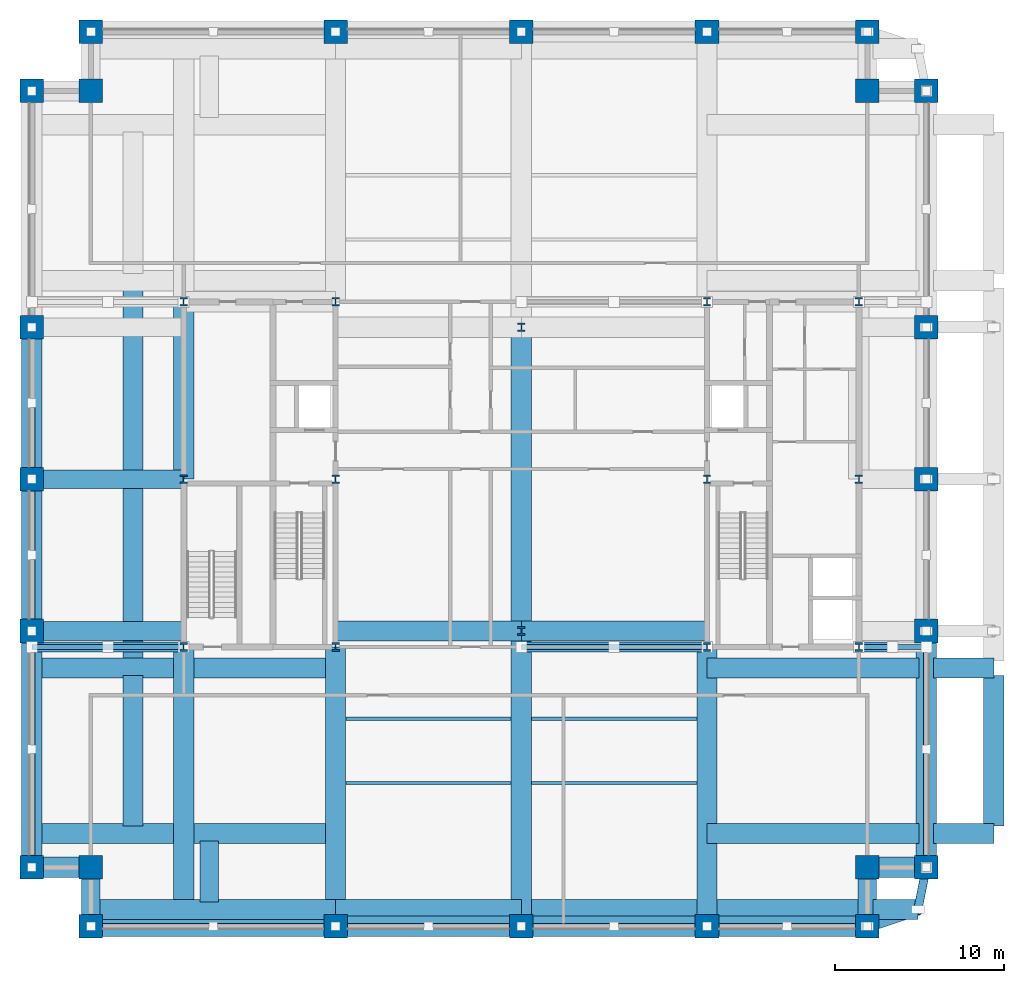
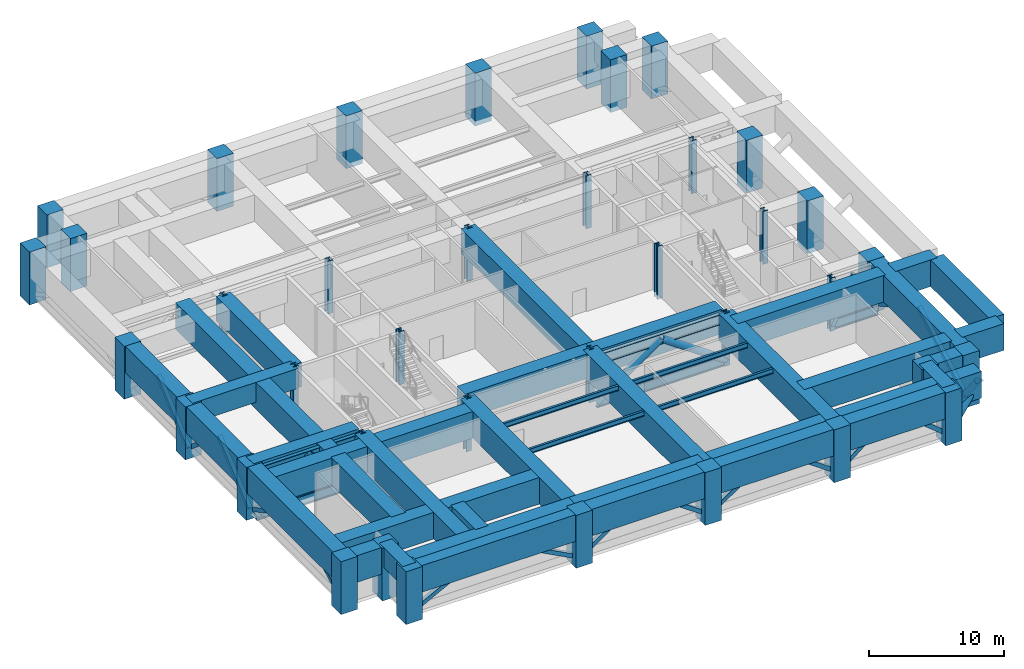
# One storey, part 1 of 10: 40 beams, 38 columns, 27 members.
"""IFC4 building model written with IfcOpenShell, lengths in metres."""

from ifc_helpers import new_model, si_unit, direction, frame, origin, origin_2d, place, context, subcontext, project, spatial, rectangle, hollow_rectangle, hollow_circle, i_section, extrude, material, material_profile, profile_set, type_object, element, save


model = new_model("IFC4")

# Units and contexts
model_context = context("Model", 3, precision=1e-05, world=origin(), true_north=direction((0.0, 1.0)))
body_context = subcontext(model_context, "Body", "Model", "MODEL_VIEW")
ifc_project = project(units=[si_unit("LENGTHUNIT", "METRE"), si_unit("AREAUNIT", "SQUARE_METRE"), si_unit("VOLUMEUNIT", "CUBIC_METRE"), si_unit("PLANEANGLEUNIT", "RADIAN"), si_unit("MASSUNIT", "GRAM", prefix="KILO")], contexts=[model_context])

# Site, building, storey
site_placement = place(None, origin())
site = spatial("IfcSite", under=ifc_project, at=site_placement, CompositionType="ELEMENT")
building_placement = place(site_placement, origin())
building = spatial("IfcBuilding", under=site, at=building_placement, Name="Zulmaris Gate Convention Tower", CompositionType="ELEMENT")
storey_placement = place(building_placement, frame((0.0, 0.0, 82.179931640625)))
storey = spatial("IfcBuildingStorey", under=building, at=storey_placement, Name="L20", CompositionType="ELEMENT", Elevation=82.179931640625)

# Columns
ifc_material_1 = material(Name="Steel S460", Category="steel")
ifc_material_profile_1 = material_profile(ifc_material_1, i_section(OverallWidth=0.43701171875, OverallDepth=0.513916015625, WebThickness=0.060546875, FlangeThickness=0.096923828125, FilletRadius=0.014892578125, at=origin_2d()), Name="HD 400x818")
ifc_profile_set_1 = profile_set([ifc_material_profile_1], Name="Steel S460")
column_type_1 = type_object("IfcColumnType", Name="COL-HD818", PredefinedType="COLUMN", material=ifc_profile_set_1)
for number, where, z_axis, x_axis, name in (
    (1, (-20.0, -9.949951171875, -0.425048828125), (0.0, 0.0, 1.0), (1.0, 0.0, 0.0), "L20 Column IN--20.00_-9.95"),
    (2, (-20.0, 10.5, -0.425048828125), (0.0, 0.0, 1.0), (1.0, 0.0, 0.0), "L20 Column IN--20.00_+10.50"),
    (3, (-11.0, -9.949951171875, -0.425048828125), (0.0, 0.0, 1.0), (1.0, 0.0, 0.0), "L20 Column IN--11.00_-9.95"),
    (4, (-11.0, 0.0, -0.425048828125), (0.0, 0.0, 1.0), (1.0, 0.0, 0.0), "L20 Column IN--11.00_+0.00"),
    (5, (-11.0, 10.5, -0.425048828125), (0.0, 0.0, 1.0), (1.0, 0.0, 0.0), "L20 Column IN--11.00_+10.50"),
    (6, (11.0, -9.949951171875, -0.425048828125), (0.0, 0.0, 1.0), (1.0, 0.0, 0.0), "L20 Column IN-+11.00_-9.95"),
    (7, (11.0, 0.0, -0.425048828125), (0.0, 0.0, 1.0), (1.0, 0.0, 0.0), "L20 Column IN-+11.00_+0.00"),
    (8, (11.0, 10.5, -0.425048828125), (0.0, 0.0, 1.0), (1.0, 0.0, 0.0), "L20 Column IN-+11.00_+10.50"),
    (9, (20.0, -9.949951171875, -0.425048828125), (0.0, 0.0, 1.0), (1.0, 0.0, 0.0), "L20 Column IN-+20.00_-9.95"),
    (10, (20.0, 10.5, -0.425048828125), (0.0, 0.0, 1.0), (1.0, 0.0, 0.0), "L20 Column IN-+20.00_+10.50"),
    (11, (0.0, -9.0, -0.425048828125), (0.0, 0.0, 1.0), (1.0, 0.0, 0.0), "L20 Column IN-+0.00_-9.00"),
    (12, (0.0, 9.0, -0.425048828125), (0.0, 0.0, 1.0), (1.0, 0.0, 0.0), "L20 Column IN-+0.00_+9.00"),
    (13, (-20.0, 0.0, -0.425048828125), (0.0, 0.0, 1.0), (1.0, 0.0, 0.0), "L20 Column IN--20.00_+0.00"),
    (14, (20.0, 0.0, -0.425048828125), (0.0, 0.0, 1.0), (1.0, 0.0, 0.0), "L20 Column IN-+20.00_+0.00"),
):
    element("IfcColumn", number, at=place(storey_placement, frame(where, z_axis=z_axis, x_axis=x_axis)), inside=storey, type_object=column_type_1, Name=name, PredefinedType="COLUMN", context=body_context, shape_type="SweptSolid", body=[
        extrude(i_section(OverallWidth=0.43701171875, OverallDepth=0.513916015625, WebThickness=0.060546875, FlangeThickness=0.096923828125, FilletRadius=0.014892578125, at=origin_2d()), origin(), (0.0, 0.0, 1.0), 4.760009765625),
    ])
ifc_material_2 = material(Name="Concrete C80/95", Category="concrete")
ifc_material_profile_2 = material_profile(ifc_material_2, rectangle(XDim=1.39990234375, YDim=1.39990234375, at=origin_2d()), Name="RC COL 1400x1400")
ifc_profile_set_2 = profile_set([ifc_material_profile_2], Name="Concrete C80/95")
column_type_2 = type_object("IfcColumnType", Name="COL-RC1400", PredefinedType="COLUMN", material=ifc_profile_set_2)
for number, where, z_axis, x_axis, name in (
    (15, (-25.5, -26.5, -0.425048828125), (0.0, 0.0, 1.0), (1.0, 0.0, 0.0), "L20 Column PT--25.50_-26.50"),
    (16, (-11.0, -26.5, -0.425048828125), (0.0, 0.0, 1.0), (1.0, 0.0, 0.0), "L20 Column PT--11.00_-26.50"),
    (17, (0.0, -26.5, -0.425048828125), (0.0, 0.0, 1.0), (1.0, 0.0, 0.0), "L20 Column PT-+0.00_-26.50"),
    (18, (11.0, -26.5, -0.425048828125), (0.0, 0.0, 1.0), (1.0, 0.0, 0.0), "L20 Column PT-+11.00_-26.50"),
    (19, (20.5, -26.5, -0.425048828125), (0.0, 0.0, 1.0), (1.0, 0.0, 0.0), "L20 Column PT-+20.50_-26.50"),
    (20, (-25.5, 26.5, -0.425048828125), (0.0, 0.0, 1.0), (1.0, 0.0, 0.0), "L20 Column PT--25.50_+26.50"),
    (21, (-11.0, 26.5, -0.425048828125), (0.0, 0.0, 1.0), (1.0, 0.0, 0.0), "L20 Column PT--11.00_+26.50"),
    (22, (0.0, 26.5, -0.425048828125), (0.0, 0.0, 1.0), (1.0, 0.0, 0.0), "L20 Column PT-+0.00_+26.50"),
    (23, (11.0, 26.5, -0.425048828125), (0.0, 0.0, 1.0), (1.0, 0.0, 0.0), "L20 Column PT-+11.00_+26.50"),
    (24, (20.5, 26.5, -0.425048828125), (0.0, 0.0, 1.0), (1.0, 0.0, 0.0), "L20 Column PT-+20.50_+26.50"),
    (25, (-29.0, -23.0, -0.425048828125), (0.0, 0.0, 1.0), (1.0, 0.0, 0.0), "L20 Column PT--29.00_-23.00"),
    (26, (-29.0, -9.0, -0.425048828125), (0.0, 0.0, 1.0), (1.0, 0.0, 0.0), "L20 Column PT--29.00_-9.00"),
    (27, (-29.0, 0.0, -0.425048828125), (0.0, 0.0, 1.0), (1.0, 0.0, 0.0), "L20 Column PT--29.00_+0.00"),
    (28, (-29.0, 9.0, -0.425048828125), (0.0, 0.0, 1.0), (1.0, 0.0, 0.0), "L20 Column PT--29.00_+9.00"),
    (29, (-29.0, 23.0, -0.425048828125), (0.0, 0.0, 1.0), (1.0, 0.0, 0.0), "L20 Column PT--29.00_+23.00"),
    (30, (24.0, -23.0, -0.425048828125), (0.0, 0.0, 1.0), (1.0, 0.0, 0.0), "L20 Column PT-+24.00_-23.00"),
    (31, (24.0, -9.0, -0.425048828125), (0.0, 0.0, 1.0), (1.0, 0.0, 0.0), "L20 Column PT-+24.00_-9.00"),
    (32, (24.0, 0.0, -0.425048828125), (0.0, 0.0, 1.0), (1.0, 0.0, 0.0), "L20 Column PT-+24.00_+0.00"),
    (33, (24.0, 9.0, -0.425048828125), (0.0, 0.0, 1.0), (1.0, 0.0, 0.0), "L20 Column PT-+24.00_+9.00"),
    (34, (24.0, 23.0, -0.425048828125), (0.0, 0.0, 1.0), (1.0, 0.0, 0.0), "L20 Column PT-+24.00_+23.00"),
    (35, (-25.5, -23.0, -0.425048828125), (0.0, 0.0, 1.0), (1.0, 0.0, 0.0), "L20 Column PT--25.50_-23.00"),
    (36, (20.5, -23.0, -0.425048828125), (0.0, 0.0, 1.0), (1.0, 0.0, 0.0), "L20 Column PT-+20.50_-23.00"),
    (37, (20.5, 23.0, -0.425048828125), (0.0, 0.0, 1.0), (1.0, 0.0, 0.0), "L20 Column PT-+20.50_+23.00"),
    (38, (-25.5, 23.0, -0.425048828125), (0.0, 0.0, 1.0), (1.0, 0.0, 0.0), "L20 Column PT--25.50_+23.00"),
):
    element("IfcColumn", number, at=place(storey_placement, frame(where, z_axis=z_axis, x_axis=x_axis)), inside=storey, type_object=column_type_2, Name=name, PredefinedType="COLUMN", context=body_context, shape_type="SweptSolid", body=[
        extrude(rectangle(XDim=1.39990234375, YDim=1.39990234375, at=origin_2d()), origin(), (0.0, 0.0, 1.0), 4.760009765625),
    ])

# Beams
ifc_material_profile_3 = material_profile(ifc_material_2, rectangle(XDim=1.10009765625, YDim=1.800048828125, at=origin_2d()), Name="RC TRANSFER 1100x1800")
ifc_profile_set_3 = profile_set([ifc_material_profile_3], Name="Concrete C80/95")
beam_type_1 = type_object("IfcBeamType", Name="BM-XFER1800", PredefinedType="BEAM", material=ifc_profile_set_3)
for number, where, z_axis, x_axis, name in (
    (39, (-25.5, -26.5, 3.43505859375), (0.0, 1.0, 0.0), (-1.0, 0.0, 0.0), "L20 Beam XFCOLV-L20-CXWS"),
    (40, (20.5, -26.5, 3.43505859375), (0.0, 1.0, 0.0), (-1.0, 0.0, 0.0), "L20 Beam XFCOLV-L20-CXES"),
):
    element("IfcBeam", number, at=place(storey_placement, frame(where, z_axis=z_axis, x_axis=x_axis)), inside=storey, type_object=beam_type_1, Name=name, PredefinedType="BEAM", context=body_context, shape_type="SweptSolid", body=[
        extrude(rectangle(XDim=1.10009765625, YDim=1.800048828125, at=origin_2d()), origin(), (0.0, 0.0, 1.0), 3.5),
    ])
beam_1_placement = place(storey_placement, frame((-18.5, -25.06494140625, 3.43505859375), z_axis=(0.0, 1.0, 0.0), x_axis=(-1.0, 0.0, 0.0)))
element("IfcBeam", 41, at=beam_1_placement, inside=storey, type_object=beam_type_1, Name="L20 Beam XFNCH-L20-WC--21.0", PredefinedType="BEAM", context=body_context, shape_type="SweptSolid", body=[
    extrude(rectangle(XDim=1.10009765625, YDim=1.800048828125, at=origin_2d()), origin(), (0.0, 0.0, 1.0), 3.6298828125),
])
for number, where, z_axis, x_axis, name in (
    (42, (-29.0, -9.0, 3.43505859375), (1.0, 0.0, 0.0), (0.0, 1.0, 0.0), "L20 Beam BM-L20-G16"),
    (43, (-29.0, 0.0, 3.43505859375), (1.0, 0.0, 0.0), (0.0, 1.0, 0.0), "L20 Beam BM-L20-G17"),
):
    element("IfcBeam", number, at=place(storey_placement, frame(where, z_axis=z_axis, x_axis=x_axis)), inside=storey, type_object=beam_type_1, Name=name, PredefinedType="BEAM", context=body_context, shape_type="SweptSolid", body=[
        extrude(rectangle(XDim=1.10009765625, YDim=1.800048828125, at=origin_2d()), origin(), (0.0, 0.0, 1.0), 9.0),
    ])
ifc_material_profile_4 = material_profile(ifc_material_2, rectangle(XDim=1.199951171875, YDim=2.199951171875, at=origin_2d()), Name="RC TRANSFER 1200x2200")
ifc_profile_set_4 = profile_set([ifc_material_profile_4], Name="Concrete C80/95")
beam_type_2 = type_object("IfcBeamType", Name="BM-XFER2200", PredefinedType="BEAM", material=ifc_profile_set_4)
for number, where, z_axis, x_axis, name in (
    (44, (-11.0, -9.0, 3.23486328125), (1.0, 0.0, 0.0), (0.0, 1.0, 0.0), "L20 Beam BM-L20-G01"),
    (45, (0.0, -9.0, 3.23486328125), (1.0, 0.0, 0.0), (0.0, 1.0, 0.0), "L20 Beam BM-L20-G02"),
):
    element("IfcBeam", number, at=place(storey_placement, frame(where, z_axis=z_axis, x_axis=x_axis)), inside=storey, type_object=beam_type_2, Name=name, PredefinedType="BEAM", context=body_context, shape_type="SweptSolid", body=[
        extrude(rectangle(XDim=1.199951171875, YDim=2.199951171875, at=origin_2d()), origin(), (0.0, 0.0, 1.0), 11.0),
    ])
beam_2_placement = place(storey_placement, frame((0.0, -9.0, 3.23486328125), z_axis=(0.0, 1.0, 0.0), x_axis=(-1.0, 0.0, 0.0)))
element("IfcBeam", 46, at=beam_2_placement, inside=storey, type_object=beam_type_2, Name="L20 Beam BM-L20-G06", PredefinedType="BEAM", context=body_context, shape_type="SweptSolid", body=[
    extrude(rectangle(XDim=1.199951171875, YDim=2.199951171875, at=origin_2d()), origin(), (0.0, 0.0, 1.0), 18.0),
])
beam_3_placement = place(storey_placement, frame((-20.0, 0.0, 3.23486328125), z_axis=(0.0, 1.0, 0.0), x_axis=(-1.0, 0.0, 0.0)))
element("IfcBeam", 47, at=beam_3_placement, inside=storey, type_object=beam_type_2, Name="L20 Beam BM-L20-G27", PredefinedType="BEAM", context=body_context, shape_type="SweptSolid", body=[
    extrude(rectangle(XDim=1.199951171875, YDim=2.199951171875, at=origin_2d()), origin(), (0.0, 0.0, 1.0), 10.5),
])
ifc_material_profile_5 = material_profile(ifc_material_2, rectangle(XDim=1.199951171875, YDim=2.39990234375, at=origin_2d()), Name="RC TRANSFER 1200x2400")
ifc_profile_set_5 = profile_set([ifc_material_profile_5], Name="Concrete C80/95")
beam_type_3 = type_object("IfcBeamType", Name="BM-XFER2400", PredefinedType="BEAM", material=ifc_profile_set_5)
beam_4_placement = place(storey_placement, frame((-29.0, -23.0, 3.135009765625), z_axis=(0.0, 1.0, 0.0), x_axis=(-1.0, 0.0, 0.0)))
element("IfcBeam", 48, at=beam_4_placement, inside=storey, type_object=beam_type_3, Name="L20 Beam XFCOLV-L20-XWS", PredefinedType="BEAM", context=body_context, shape_type="SweptSolid", body=[
    extrude(rectangle(XDim=1.199951171875, YDim=2.39990234375, at=origin_2d()), origin(), (0.0, 0.0, 1.0), 14.0),
])
for number, where, z_axis, x_axis, name in (
    (49, (-29.0, -9.0, 3.135009765625), (0.0, 1.0, 0.0), (-1.0, 0.0, 0.0), "L20 Beam XFCOLV-L20-XWM1"),
    (50, (-29.0, 0.0, 3.135009765625), (0.0, 1.0, 0.0), (-1.0, 0.0, 0.0), "L20 Beam XFCOLV-L20-XWM2"),
):
    element("IfcBeam", number, at=place(storey_placement, frame(where, z_axis=z_axis, x_axis=x_axis)), inside=storey, type_object=beam_type_3, Name=name, PredefinedType="BEAM", context=body_context, shape_type="SweptSolid", body=[
        extrude(rectangle(XDim=1.199951171875, YDim=2.39990234375, at=origin_2d()), origin(), (0.0, 0.0, 1.0), 9.0),
    ])
beam_5_placement = place(storey_placement, frame((24.0, -23.0, 3.135009765625), z_axis=(0.0, 1.0, 0.0), x_axis=(-1.0, 0.0, 0.0)))
element("IfcBeam", 51, at=beam_5_placement, inside=storey, type_object=beam_type_3, Name="L20 Beam XFCOLV-L20-XES", PredefinedType="BEAM", context=body_context, shape_type="SweptSolid", body=[
    extrude(rectangle(XDim=1.199951171875, YDim=2.39990234375, at=origin_2d()), origin(), (0.0, 0.0, 1.0), 14.0),
])
for number, where, z_axis, x_axis, name in (
    (52, (-11.0, -26.5, 3.135009765625), (0.0, 1.0, 0.0), (-1.0, 0.0, 0.0), "L20 Beam XFCOLV-L20-C11WS"),
    (53, (11.0, -26.5, 3.135009765625), (0.0, 1.0, 0.0), (-1.0, 0.0, 0.0), "L20 Beam XFCOLV-L20-C11ES"),
):
    element("IfcBeam", number, at=place(storey_placement, frame(where, z_axis=z_axis, x_axis=x_axis)), inside=storey, type_object=beam_type_3, Name=name, PredefinedType="BEAM", context=body_context, shape_type="SweptSolid", body=[
        extrude(rectangle(XDim=1.199951171875, YDim=2.39990234375, at=origin_2d()), origin(), (0.0, 0.0, 1.0), 16.550048828125),
    ])
beam_6_placement = place(storey_placement, frame((0.0, -26.5, 3.135009765625), z_axis=(0.0, 1.0, 0.0), x_axis=(-1.0, 0.0, 0.0)))
element("IfcBeam", 54, at=beam_6_placement, inside=storey, type_object=beam_type_3, Name="L20 Beam XFCOLV-L20-C0S", PredefinedType="BEAM", context=body_context, shape_type="SweptSolid", body=[
    extrude(rectangle(XDim=1.199951171875, YDim=2.39990234375, at=origin_2d()), origin(), (0.0, 0.0, 1.0), 17.5),
])
beam_7_placement = place(storey_placement, frame((11.0, -21.0, 3.135009765625), z_axis=(1.0, 0.0, 0.0), x_axis=(0.0, 1.0, 0.0)))
element("IfcBeam", 55, at=beam_7_placement, inside=storey, type_object=beam_type_3, Name="L20 Beam XFBS-L20-E--21.00", PredefinedType="BEAM", context=body_context, shape_type="SweptSolid", body=[
    extrude(rectangle(XDim=1.199951171875, YDim=2.39990234375, at=origin_2d()), origin(), (0.0, 0.0, 1.0), 12.56494140625),
])
beam_8_placement = place(storey_placement, frame((24.43505859375, -21.0, 3.135009765625), z_axis=(1.0, 0.0, 0.0), x_axis=(0.0, 1.0, 0.0)))
element("IfcBeam", 56, at=beam_8_placement, inside=storey, type_object=beam_type_3, Name="L20 Beam XFSF-L20-E--21.00", PredefinedType="BEAM", context=body_context, shape_type="SweptSolid", body=[
    extrude(rectangle(XDim=1.199951171875, YDim=2.39990234375, at=origin_2d()), origin(), (0.0, 0.0, 1.0), 3.56494140625),
])
beam_9_placement = place(storey_placement, frame((11.0, -11.199951171875, 3.135009765625), z_axis=(1.0, 0.0, 0.0), x_axis=(0.0, 1.0, 0.0)))
element("IfcBeam", 57, at=beam_9_placement, inside=storey, type_object=beam_type_3, Name="L20 Beam XFBS-L20-E--11.20", PredefinedType="BEAM", context=body_context, shape_type="SweptSolid", body=[
    extrude(rectangle(XDim=1.199951171875, YDim=2.39990234375, at=origin_2d()), origin(), (0.0, 0.0, 1.0), 12.56494140625),
])
beam_10_placement = place(storey_placement, frame((24.43505859375, -11.199951171875, 3.135009765625), z_axis=(1.0, 0.0, 0.0), x_axis=(0.0, 1.0, 0.0)))
element("IfcBeam", 58, at=beam_10_placement, inside=storey, type_object=beam_type_3, Name="L20 Beam XFSF-L20-E--11.20", PredefinedType="BEAM", context=body_context, shape_type="SweptSolid", body=[
    extrude(rectangle(XDim=1.199951171875, YDim=2.39990234375, at=origin_2d()), origin(), (0.0, 0.0, 1.0), 3.56494140625),
])
beam_11_placement = place(storey_placement, frame((28.0, -20.56494140625, 3.135009765625), z_axis=(0.0, 1.0, 0.0), x_axis=(-1.0, 0.0, 0.0)))
element("IfcBeam", 59, at=beam_11_placement, inside=storey, type_object=beam_type_3, Name="L20 Beam XFEDG-L20-ES", PredefinedType="BEAM", context=body_context, shape_type="SweptSolid", body=[
    extrude(rectangle(XDim=1.199951171875, YDim=2.39990234375, at=origin_2d()), origin(), (0.0, 0.0, 1.0), 8.929931640625),
])
beam_12_placement = place(storey_placement, frame((0.43505859375, -25.5, 3.135009765625), z_axis=(1.0, 0.0, 0.0), x_axis=(0.0, 1.0, 0.0)))
element("IfcBeam", 60, at=beam_12_placement, inside=storey, type_object=beam_type_3, Name="L20 Beam XFBS-L20-EC--25.5", PredefinedType="BEAM", context=body_context, shape_type="SweptSolid", body=[
    extrude(rectangle(XDim=1.199951171875, YDim=2.39990234375, at=origin_2d()), origin(), (0.0, 0.0, 1.0), 19.72998046875),
])
beam_13_placement = place(storey_placement, frame((20.8349609375, -25.5, 3.135009765625), z_axis=(1.0, 0.0, 0.0), x_axis=(0.0, 1.0, 0.0)))
element("IfcBeam", 61, at=beam_13_placement, inside=storey, type_object=beam_type_3, Name="L20 Beam XFSF-L20-EC--25.5", PredefinedType="BEAM", context=body_context, shape_type="SweptSolid", body=[
    extrude(rectangle(XDim=1.199951171875, YDim=2.39990234375, at=origin_2d()), origin(), (0.0, 0.0, 1.0), 2.6650390625),
])
for number, where, z_axis, x_axis, name in (
    (62, (-29.0, -21.0, 3.135009765625), (1.0, 0.0, 0.0), (0.0, 1.0, 0.0), "L20 Beam XFREC-L20-W--21.00"),
    (63, (-29.0, -11.199951171875, 3.135009765625), (1.0, 0.0, 0.0), (0.0, 1.0, 0.0), "L20 Beam XFREC-L20-W--11.20"),
):
    element("IfcBeam", number, at=place(storey_placement, frame(where, z_axis=z_axis, x_axis=x_axis)), inside=storey, type_object=beam_type_3, Name=name, PredefinedType="BEAM", context=body_context, shape_type="SweptSolid", body=[
        extrude(rectangle(XDim=1.199951171875, YDim=2.39990234375, at=origin_2d()), origin(), (0.0, 0.0, 1.0), 18.0),
    ])
beam_14_placement = place(storey_placement, frame((-23.0, -20.56494140625, 3.135009765625), z_axis=(0.0, 1.0, 0.0), x_axis=(-1.0, 0.0, 0.0)))
element("IfcBeam", 64, at=beam_14_placement, inside=storey, type_object=beam_type_3, Name="L20 Beam XFEDG-L20-WS", PredefinedType="BEAM", context=body_context, shape_type="SweptSolid", body=[
    extrude(rectangle(XDim=1.199951171875, YDim=2.39990234375, at=origin_2d()), origin(), (0.0, 0.0, 1.0), 8.929931640625),
])
beam_15_placement = place(storey_placement, frame((-23.0, -10.764892578125, 3.135009765625), z_axis=(0.0, 1.0, 0.0), x_axis=(-1.0, 0.0, 0.0)))
element("IfcBeam", 65, at=beam_15_placement, inside=storey, type_object=beam_type_3, Name="L20 Beam XFEDG-L20-WM", PredefinedType="BEAM", context=body_context, shape_type="SweptSolid", body=[
    extrude(rectangle(XDim=1.199951171875, YDim=2.39990234375, at=origin_2d()), origin(), (0.0, 0.0, 1.0), 22.079833984375),
])
beam_16_placement = place(storey_placement, frame((-25.5, -25.5, 3.135009765625), z_axis=(1.0, 0.0, 0.0), x_axis=(0.0, 1.0, 0.0)))
element("IfcBeam", 66, at=beam_16_placement, inside=storey, type_object=beam_type_3, Name="L20 Beam XFREC-L20-WC--25.5", PredefinedType="BEAM", context=body_context, shape_type="SweptSolid", body=[
    extrude(rectangle(XDim=1.199951171875, YDim=2.39990234375, at=origin_2d()), origin(), (0.0, 0.0, 1.0), 14.5),
])
beam_17_placement = place(storey_placement, frame((-11.0, -25.5, 3.135009765625), z_axis=(1.0, 0.0, 0.0), x_axis=(0.0, 1.0, 0.0)))
element("IfcBeam", 67, at=beam_17_placement, inside=storey, type_object=beam_type_3, Name="L20 Beam XFREC-L20-M1--25.5", PredefinedType="BEAM", context=body_context, shape_type="SweptSolid", body=[
    extrude(rectangle(XDim=1.199951171875, YDim=2.39990234375, at=origin_2d()), origin(), (0.0, 0.0, 1.0), 11.0),
])
beam_18_placement = place(storey_placement, frame((-25.5, -26.5, 3.135009765625), z_axis=(1.0, 0.0, 0.0), x_axis=(0.0, 1.0, 0.0)))
element("IfcBeam", 68, at=beam_18_placement, inside=storey, type_object=beam_type_3, Name="L20 Beam SP-L20-01", PredefinedType="BEAM", context=body_context, shape_type="SweptSolid", body=[
    extrude(rectangle(XDim=1.199951171875, YDim=2.39990234375, at=origin_2d()), origin(), (0.0, 0.0, 1.0), 14.5),
])
for number, where, z_axis, x_axis, name in (
    (69, (-11.0, -26.5, 3.135009765625), (1.0, 0.0, 0.0), (0.0, 1.0, 0.0), "L20 Beam SP-L20-02"),
    (70, (0.0, -26.5, 3.135009765625), (1.0, 0.0, 0.0), (0.0, 1.0, 0.0), "L20 Beam SP-L20-03"),
):
    element("IfcBeam", number, at=place(storey_placement, frame(where, z_axis=z_axis, x_axis=x_axis)), inside=storey, type_object=beam_type_3, Name=name, PredefinedType="BEAM", context=body_context, shape_type="SweptSolid", body=[
        extrude(rectangle(XDim=1.199951171875, YDim=2.39990234375, at=origin_2d()), origin(), (0.0, 0.0, 1.0), 11.0),
    ])
beam_19_placement = place(storey_placement, frame((11.0, -26.5, 3.135009765625), z_axis=(1.0, 0.0, 0.0), x_axis=(0.0, 1.0, 0.0)))
element("IfcBeam", 71, at=beam_19_placement, inside=storey, type_object=beam_type_3, Name="L20 Beam SP-L20-04", PredefinedType="BEAM", context=body_context, shape_type="SweptSolid", body=[
    extrude(rectangle(XDim=1.199951171875, YDim=2.39990234375, at=origin_2d()), origin(), (0.0, 0.0, 1.0), 9.5),
])
for number, where, z_axis, x_axis, name in (
    (72, (20.5, -23.0, 3.135009765625), (1.0, 0.0, 0.0), (0.0, 1.0, 0.0), "L20 Beam SP-L20-06"),
    (73, (-29.0, -23.0, 3.135009765625), (1.0, 0.0, 0.0), (0.0, 1.0, 0.0), "L20 Beam SP-L20-23"),
):
    element("IfcBeam", number, at=place(storey_placement, frame(where, z_axis=z_axis, x_axis=x_axis)), inside=storey, type_object=beam_type_3, Name=name, PredefinedType="BEAM", context=body_context, shape_type="SweptSolid", body=[
        extrude(rectangle(XDim=1.199951171875, YDim=2.39990234375, at=origin_2d()), origin(), (0.0, 0.0, 1.0), 3.5),
    ])
beam_20_placement = place(storey_placement, frame((-20.0, -26.5, 3.135009765625), z_axis=(0.0, 1.0, 0.0), x_axis=(-1.0, 0.0, 0.0)))
element("IfcBeam", 74, at=beam_20_placement, inside=storey, type_object=beam_type_3, Name="L20 Beam BM-L20-G12", PredefinedType="BEAM", context=body_context, shape_type="SweptSolid", body=[
    extrude(rectangle(XDim=1.199951171875, YDim=2.39990234375, at=origin_2d()), origin(), (0.0, 0.0, 1.0), 16.550048828125),
])

# Members
ifc_material_profile_6 = material_profile(ifc_material_1, hollow_circle(Radius=0.25390625, WallThickness=0.02490234375, at=origin_2d()), Name="CHS 508x25")
ifc_profile_set_6 = profile_set([ifc_material_profile_6], Name="Steel S460")
member_type_1 = type_object("IfcMemberType", Name="BR-CHS508", PredefinedType="BRACE", material=ifc_profile_set_6)
member_1_placement = place(storey_placement, frame((24.0, -23.0, 0.349853515625), z_axis=(-0.132420272565, -0.662101362827, 0.737622299525), x_axis=(0.980580675691, -0.196116135138, 0.0)))
element("IfcMember", 75, at=member_1_placement, inside=storey, type_object=member_type_1, Name="L20 Shifted Block Notch Web Strut EC -25.5", PredefinedType="BRACE", context=body_context, shape_type="SweptSolid", body=[
    extrude(hollow_circle(Radius=0.25390625, WallThickness=0.02490234375, at=origin_2d()), origin(), (0.0, 0.0, 1.0), 3.77587890625),
])
ifc_material_profile_7 = material_profile(ifc_material_1, hollow_circle(Radius=0.304931640625, WallThickness=0.030029296875, at=origin_2d()), Name="CHS 610x30")
ifc_profile_set_7 = profile_set([ifc_material_profile_7], Name="Steel S460")
member_type_2 = type_object("IfcMemberType", Name="BR-CHS610", PredefinedType="BRACE", material=ifc_profile_set_7)
for number, where, z_axis, x_axis, name in (
    (76, (-29.0, -9.949951171875, 0.0), (0.761107322007, 0.0, 0.648625966476), (0.0, 1.0, 0.0), "L20 Outrigger Truss Diagonal OT-L20-DG--9.9--29-A"),
    (77, (-24.5, -9.949951171875, 3.8349609375), (0.761107322007, 0.0, -0.648625966476), (0.0, 1.0, 0.0), "L20 Outrigger Truss Diagonal OT-L20-DG--9.9--29-B"),
):
    element("IfcMember", number, at=place(storey_placement, frame(where, z_axis=z_axis, x_axis=x_axis)), inside=storey, type_object=member_type_2, Name=name, PredefinedType="BRACE", context=body_context, shape_type="SweptSolid", body=[
        extrude(hollow_circle(Radius=0.304931640625, WallThickness=0.030029296875, at=origin_2d()), origin(), (0.0, 0.0, 1.0), 5.912353515625),
    ])
member_2_placement = place(storey_placement, frame((20.0, -9.949951171875, 0.0), z_axis=(0.462411672797, 0.0, 0.886665351111), x_axis=(0.0, 1.0, 0.0)))
element("IfcMember", 78, at=member_2_placement, inside=storey, type_object=member_type_2, Name="L20 Outrigger Truss Diagonal OT-L20-DG--9.9-+20-A", PredefinedType="BRACE", context=body_context, shape_type="SweptSolid", body=[
    extrude(hollow_circle(Radius=0.304931640625, WallThickness=0.030029296875, at=origin_2d()), origin(), (0.0, 0.0, 1.0), 4.3251953125),
])
for number, where, z_axis, x_axis, name in (
    (79, (0.0, -9.949951171875, 0.0), (0.82028427934, 0.0, 0.571956030712), (0.0, 1.0, 0.0), "L20 Outrigger Truss Diagonal OT-L20-DG--9.9-+0-A"),
    (80, (5.5, -9.949951171875, 3.8349609375), (0.82028427934, 0.0, -0.571956030712), (0.0, 1.0, 0.0), "L20 Outrigger Truss Diagonal OT-L20-DG--9.9-+0-B"),
):
    element("IfcMember", number, at=place(storey_placement, frame(where, z_axis=z_axis, x_axis=x_axis)), inside=storey, type_object=member_type_2, Name=name, PredefinedType="BRACE", context=body_context, shape_type="SweptSolid", body=[
        extrude(hollow_circle(Radius=0.304931640625, WallThickness=0.030029296875, at=origin_2d()), origin(), (0.0, 0.0, 1.0), 6.705078125),
    ])
ifc_material_profile_8 = material_profile(ifc_material_1, hollow_circle(Radius=0.35546875, WallThickness=0.035888671875, at=origin_2d()), Name="CHS 711x36")
ifc_profile_set_8 = profile_set([ifc_material_profile_8], Name="Steel S460")
member_type_3 = type_object("IfcMemberType", Name="BR-CHS711", PredefinedType="BRACE", material=ifc_profile_set_8)
member_3_placement = place(storey_placement, frame((20.5, -26.5, 0.349853515625), z_axis=(0.711926717305, 0.237308905768, 0.660942382081), x_axis=(-0.316227766017, 0.948683298051, 0.0)))
element("IfcMember", 81, at=member_3_placement, inside=storey, type_object=member_type_3, Name="L20 Shifted Block Corner Raking Strut EC -25.5", PredefinedType="BRACE", context=body_context, shape_type="SweptSolid", body=[
    extrude(hollow_circle(Radius=0.35546875, WallThickness=0.035888671875, at=origin_2d()), origin(), (0.0, 0.0, 1.0), 4.2138671875),
])
ifc_material_profile_9 = material_profile(ifc_material_1, hollow_rectangle(XDim=0.35009765625, YDim=0.35009765625, WallThickness=0.01611328125, at=origin_2d()), Name="SHS 350x350x16")
ifc_profile_set_9 = profile_set([ifc_material_profile_9], Name="Steel S460")
member_type_4 = type_object("IfcMemberType", Name="BR-SHS350", PredefinedType="BRACE", material=ifc_profile_set_9)
for number, where, z_axis, x_axis, name in (
    (82, (-25.5, -26.5, 0.0), (0.883952946036, 0.0, 0.46757586464), (0.0, 1.0, 0.0), "L20 Perimeter Belt Truss Diagonal 01-1"),
    (83, (-18.25, -26.5, 3.8349609375), (0.883952946036, 0.0, -0.46757586464), (0.0, 1.0, 0.0), "L20 Perimeter Belt Truss Diagonal 01-2"),
):
    element("IfcMember", number, at=place(storey_placement, frame(where, z_axis=z_axis, x_axis=x_axis)), inside=storey, type_object=member_type_4, Name=name, PredefinedType="BRACE", context=body_context, shape_type="SweptSolid", body=[
        extrude(hollow_rectangle(XDim=0.35009765625, YDim=0.35009765625, WallThickness=0.01611328125, at=origin_2d()), origin(), (0.0, 0.0, 1.0), 8.201904296875),
    ])
for number, where, z_axis, x_axis, name in (
    (84, (-11.0, -26.5, 0.0), (0.82028427934, 0.0, 0.571956030712), (0.0, 1.0, 0.0), "L20 Perimeter Belt Truss Diagonal 02-1"),
    (85, (-5.5, -26.5, 3.8349609375), (0.82028427934, 0.0, -0.571956030712), (0.0, 1.0, 0.0), "L20 Perimeter Belt Truss Diagonal 02-2"),
    (86, (0.0, -26.5, 0.0), (0.82028427934, 0.0, 0.571956030712), (0.0, 1.0, 0.0), "L20 Perimeter Belt Truss Diagonal 03-1"),
    (87, (5.5, -26.5, 3.8349609375), (0.82028427934, 0.0, -0.571956030712), (0.0, 1.0, 0.0), "L20 Perimeter Belt Truss Diagonal 03-2"),
):
    element("IfcMember", number, at=place(storey_placement, frame(where, z_axis=z_axis, x_axis=x_axis)), inside=storey, type_object=member_type_4, Name=name, PredefinedType="BRACE", context=body_context, shape_type="SweptSolid", body=[
        extrude(hollow_rectangle(XDim=0.35009765625, YDim=0.35009765625, WallThickness=0.01611328125, at=origin_2d()), origin(), (0.0, 0.0, 1.0), 6.705078125),
    ])
for number, where, z_axis, x_axis, name in (
    (88, (11.0, -26.5, 0.0), (0.778067474884, 0.0, 0.628180710088), (0.0, 1.0, 0.0), "L20 Perimeter Belt Truss Diagonal 04-1"),
    (89, (15.75, -26.5, 3.8349609375), (0.778067474884, 0.0, -0.628180710088), (0.0, 1.0, 0.0), "L20 Perimeter Belt Truss Diagonal 04-2"),
):
    element("IfcMember", number, at=place(storey_placement, frame(where, z_axis=z_axis, x_axis=x_axis)), inside=storey, type_object=member_type_4, Name=name, PredefinedType="BRACE", context=body_context, shape_type="SweptSolid", body=[
        extrude(hollow_rectangle(XDim=0.35009765625, YDim=0.35009765625, WallThickness=0.01611328125, at=origin_2d()), origin(), (0.0, 0.0, 1.0), 6.10498046875),
    ])
for number, where, z_axis, x_axis, name in (
    (90, (-29.0, -23.0, 0.0), (0.0, 0.877010346815, 0.480471488831), (-1.0, 0.0, 0.0), "L20 Perimeter Belt Truss Diagonal 09-1"),
    (91, (-29.0, -16.0, 3.8349609375), (0.0, 0.877010346815, -0.480471488831), (-1.0, 0.0, 0.0), "L20 Perimeter Belt Truss Diagonal 09-2"),
):
    element("IfcMember", number, at=place(storey_placement, frame(where, z_axis=z_axis, x_axis=x_axis)), inside=storey, type_object=member_type_4, Name=name, PredefinedType="BRACE", context=body_context, shape_type="SweptSolid", body=[
        extrude(hollow_rectangle(XDim=0.35009765625, YDim=0.35009765625, WallThickness=0.01611328125, at=origin_2d()), origin(), (0.0, 0.0, 1.0), 7.981689453125),
    ])
for number, where, z_axis, x_axis, name in (
    (92, (-29.0, -9.0, 0.0), (0.0, 0.761107322007, 0.648625966476), (-1.0, 0.0, 0.0), "L20 Perimeter Belt Truss Diagonal 10-1"),
    (93, (-29.0, -4.5, 3.8349609375), (0.0, 0.761107322007, -0.648625966476), (-1.0, 0.0, 0.0), "L20 Perimeter Belt Truss Diagonal 10-2"),
    (94, (-29.0, 0.0, 0.0), (0.0, 0.761107322007, 0.648625966476), (-1.0, 0.0, 0.0), "L20 Perimeter Belt Truss Diagonal 11-1"),
):
    element("IfcMember", number, at=place(storey_placement, frame(where, z_axis=z_axis, x_axis=x_axis)), inside=storey, type_object=member_type_4, Name=name, PredefinedType="BRACE", context=body_context, shape_type="SweptSolid", body=[
        extrude(hollow_rectangle(XDim=0.35009765625, YDim=0.35009765625, WallThickness=0.01611328125, at=origin_2d()), origin(), (0.0, 0.0, 1.0), 5.912353515625),
    ])
for number, where, z_axis, x_axis, name in (
    (95, (24.0, -23.0, 0.0), (0.0, 0.877010346815, 0.480471488831), (-1.0, 0.0, 0.0), "L20 Perimeter Belt Truss Diagonal 13-1"),
    (96, (24.0, -16.0, 3.8349609375), (0.0, 0.877010346815, -0.480471488831), (-1.0, 0.0, 0.0), "L20 Perimeter Belt Truss Diagonal 13-2"),
):
    element("IfcMember", number, at=place(storey_placement, frame(where, z_axis=z_axis, x_axis=x_axis)), inside=storey, type_object=member_type_4, Name=name, PredefinedType="BRACE", context=body_context, shape_type="SweptSolid", body=[
        extrude(hollow_rectangle(XDim=0.35009765625, YDim=0.35009765625, WallThickness=0.01611328125, at=origin_2d()), origin(), (0.0, 0.0, 1.0), 7.981689453125),
    ])
ifc_material_profile_10 = material_profile(ifc_material_1, i_section(OverallWidth=0.302001953125, OverallDepth=0.909912109375, WebThickness=0.02099609375, FlangeThickness=0.0400390625, FilletRadius=0.030029296875, at=origin_2d()), Name="HEM 900")
ifc_profile_set_10 = profile_set([ifc_material_profile_10], Name="Steel S460")
member_type_5 = type_object("IfcMemberType", Name="CH-HEM900", PredefinedType="CHORD", material=ifc_profile_set_10)
for number, where, z_axis, x_axis, name in (
    (97, (-29.0, -9.949951171875, 0.0), (1.0, 0.0, 0.0), (0.0, 1.0, 0.0), "L20 Outrigger Truss Bottom Chord -9.9"),
    (98, (-29.0, -9.949951171875, 3.8349609375), (1.0, 0.0, 0.0), (0.0, 1.0, 0.0), "L20 Outrigger Truss Top Chord -9.9"),
):
    element("IfcMember", number, at=place(storey_placement, frame(where, z_axis=z_axis, x_axis=x_axis)), inside=storey, type_object=member_type_5, Name=name, PredefinedType="CHORD", context=body_context, shape_type="SweptSolid", body=[
        extrude(i_section(OverallWidth=0.302001953125, OverallDepth=0.909912109375, WebThickness=0.02099609375, FlangeThickness=0.0400390625, FilletRadius=0.030029296875, at=origin_2d()), origin(), (0.0, 0.0, 1.0), 9.0),
    ])
member_4_placement = place(storey_placement, frame((20.0, -9.949951171875, 0.0), z_axis=(1.0, 0.0, 0.0), x_axis=(0.0, 1.0, 0.0)))
element("IfcMember", 99, at=member_4_placement, inside=storey, type_object=member_type_5, Name="L20 Outrigger Truss Bottom Chord -9.9", PredefinedType="CHORD", context=body_context, shape_type="SweptSolid", body=[
    extrude(i_section(OverallWidth=0.302001953125, OverallDepth=0.909912109375, WebThickness=0.02099609375, FlangeThickness=0.0400390625, FilletRadius=0.030029296875, at=origin_2d()), origin(), (0.0, 0.0, 1.0), 4.0),
])
for number, where, z_axis, x_axis, name in (
    (100, (0.0, -9.949951171875, 0.0), (1.0, 0.0, 0.0), (0.0, 1.0, 0.0), "L20 Outrigger Truss Bottom Chord -9.9"),
    (101, (0.0, -9.949951171875, 3.8349609375), (1.0, 0.0, 0.0), (0.0, 1.0, 0.0), "L20 Outrigger Truss Top Chord -9.9"),
):
    element("IfcMember", number, at=place(storey_placement, frame(where, z_axis=z_axis, x_axis=x_axis)), inside=storey, type_object=member_type_5, Name=name, PredefinedType="CHORD", context=body_context, shape_type="SweptSolid", body=[
        extrude(i_section(OverallWidth=0.302001953125, OverallDepth=0.909912109375, WebThickness=0.02099609375, FlangeThickness=0.0400390625, FilletRadius=0.030029296875, at=origin_2d()), origin(), (0.0, 0.0, 1.0), 11.0),
    ])

# Beams
ifc_material_3 = material(Name="Steel S355", Category="steel")
ifc_material_profile_11 = material_profile(ifc_material_3, i_section(OverallWidth=0.18994140625, OverallDepth=0.449951171875, WebThickness=0.009521484375, FlangeThickness=0.0146484375, FilletRadius=0.02099609375, at=origin_2d()), Name="IPE 450")
ifc_profile_set_11 = profile_set([ifc_material_profile_11], Name="Steel S355")
beam_type_4 = type_object("IfcBeamType", Name="JT-IPE450", PredefinedType="JOIST", material=ifc_profile_set_11)
for number, where, z_axis, x_axis, name in (
    (102, (-10.39990234375, -18.0, 4.10791015625), (1.0, 0.0, 0.0), (0.0, 1.0, 0.0), "L20 Joist JT-L20-CW--18.0"),
    (103, (0.60009765625, -18.0, 4.10791015625), (1.0, 0.0, 0.0), (0.0, 1.0, 0.0), "L20 Joist JT-L20-CE--18.0"),
    (104, (-10.39990234375, -14.199951171875, 4.10791015625), (1.0, 0.0, 0.0), (0.0, 1.0, 0.0), "L20 Joist JT-L20-CW--14.2"),
    (105, (0.60009765625, -14.199951171875, 4.10791015625), (1.0, 0.0, 0.0), (0.0, 1.0, 0.0), "L20 Joist JT-L20-CE--14.2"),
):
    element("IfcBeam", number, at=place(storey_placement, frame(where, z_axis=z_axis, x_axis=x_axis)), inside=storey, type_object=beam_type_4, Name=name, PredefinedType="JOIST", context=body_context, shape_type="SweptSolid", body=[
        extrude(i_section(OverallWidth=0.18994140625, OverallDepth=0.449951171875, WebThickness=0.009521484375, FlangeThickness=0.0146484375, FilletRadius=0.02099609375, at=origin_2d()), origin(), (0.0, 0.0, 1.0), 9.7998046875),
    ])

save(model, "model.ifc")
